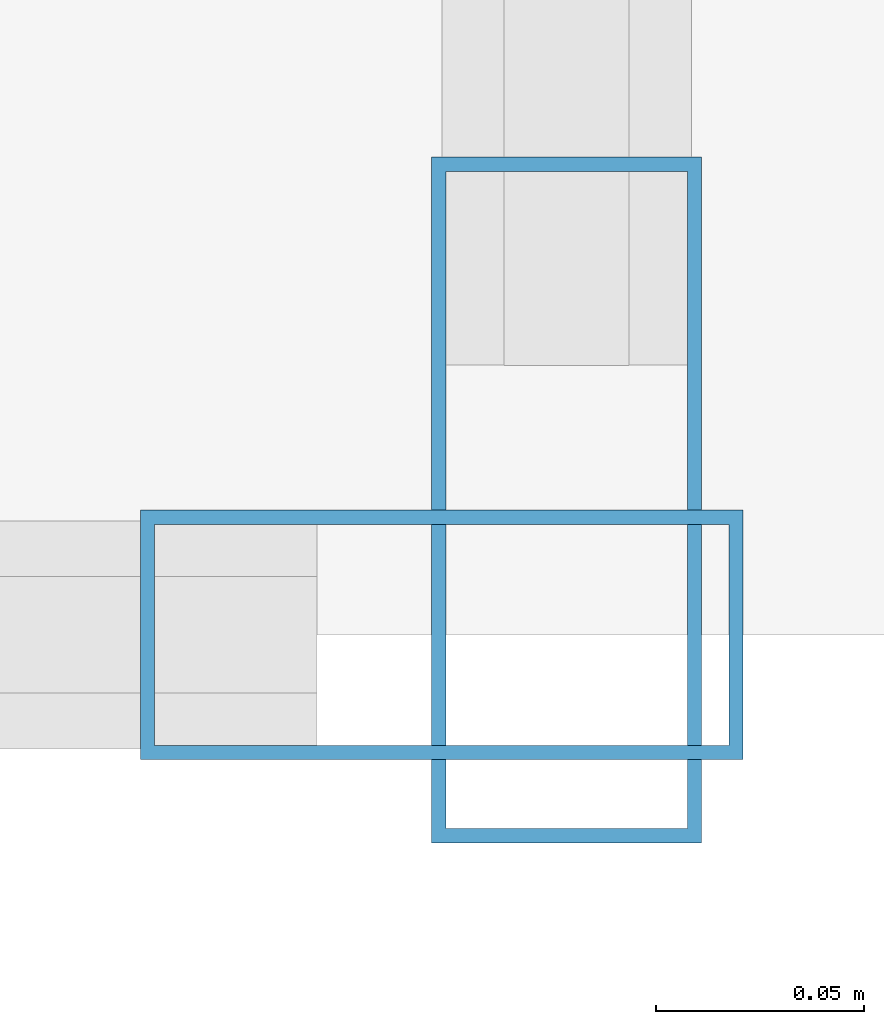
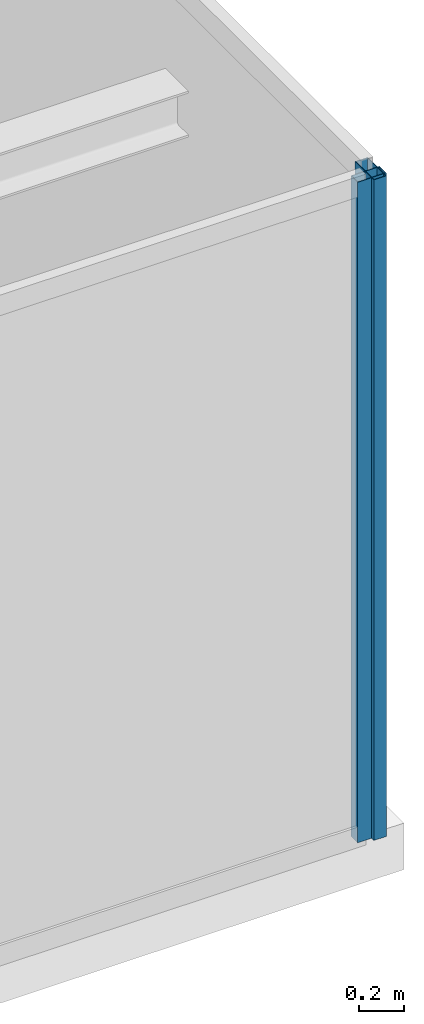
# One storey, part 14 of 27: 2 members, 2 elements without a shape of their own.
"""IFC4 building model written with IfcOpenShell, lengths in metres."""

from ifc_helpers import new_model, si_unit, direction, frame, origin, origin_2d, place, context, subcontext, project, spatial, hollow_rectangle, extrude, source, transform, mapped, material, layer, layer_set, material_profile, profile_set, type_object, type_shapes, element, aggregate, save


model = new_model("IFC4")

# Units and contexts
model_context = context("Model", 3, precision=1e-05, world=origin(), true_north=direction((0.0, 1.0)))
body_context = subcontext(model_context, "Body", "Model", "MODEL_VIEW")
ifc_project = project(units=[si_unit("LENGTHUNIT", "METRE"), si_unit("AREAUNIT", "SQUARE_METRE"), si_unit("VOLUMEUNIT", "CUBIC_METRE"), si_unit("PLANEANGLEUNIT", "RADIAN"), si_unit("MASSUNIT", "GRAM", prefix="KILO")], contexts=[model_context])

# Site, building, storey
site_placement = place(None, origin())
site = spatial("IfcSite", under=ifc_project, at=site_placement, CompositionType="ELEMENT")
building_placement = place(site_placement, origin())
building = spatial("IfcBuilding", under=site, at=building_placement, Name="Varnel Quay Broadcast Tower", CompositionType="ELEMENT")
storey_placement = place(building_placement, frame((0.0, 0.0, 203.60009765625)))
storey = spatial("IfcBuildingStorey", under=building, at=storey_placement, Name="L50", CompositionType="ELEMENT", Elevation=203.60009765625)

# Curtain wall, member
ifc_material = material(Name="Anodised Bronze Aluminium 6063-T6", Category="aluminium")
ifc_layer_1 = layer(ifc_material, 0.18994140625, Name="Anodised Bronze Aluminium 6063-T6")
ifc_layer_set_1 = layer_set([ifc_layer_1], Name="Anodised Bronze Aluminium 6063-T6")
curtain_wall_type_1 = type_object("IfcCurtainWallType", Name="CW_NotchCorner", PredefinedType="NOTDEFINED", material=ifc_layer_set_1)
curtain_wall_1_placement = place(storey_placement, origin())
curtain_wall_1 = element("IfcCurtainWall", 1, at=curtain_wall_1_placement, inside=storey, type_object=curtain_wall_type_1, Name="L50 SE Notch Curtain Wall", PredefinedType="NOTDEFINED")
ifc_material_profile_1 = material_profile(ifc_material, hollow_rectangle(XDim=0.06005859375, YDim=0.14501953125, WallThickness=0.00341796875, at=origin_2d()), Name="ALU60X145X3.5")
ifc_profile_set_1 = profile_set([ifc_material_profile_1], Name="Anodised Bronze Aluminium 6063-T6")
member_type_1 = type_object("IfcMemberType", Name="Mull_CWS-04", PredefinedType="MULLION", material=ifc_profile_set_1)
shared_shape_1 = source(origin(), body_context, "Body", "SweptSolid", [
    extrude(hollow_rectangle(XDim=0.06005859375, YDim=0.14501953125, WallThickness=0.00341796875, at=origin_2d()), origin(), (0.0, 0.0, 1.0), 3.5498046875),
])
type_shapes(member_type_1, [shared_shape_1])
member_1_placement = place(storey_placement, frame((58.320068359375, 13.60009765625, 0.0), z_axis=(0.0, 0.0, 1.0), x_axis=(0.0, 1.0, 0.0)))
member_1 = element("IfcMember", 2, at=member_1_placement, type_object=member_type_1, Name="CWS-04 mullion 2", PredefinedType="MULLION", context=body_context, shape_type="MappedRepresentation", body=[
    mapped(shared_shape_1, transform((0.0, 0.0, 0.0), x_axis=(1.0, 0.0, 0.0), y_axis=(0.0, 1.0, 0.0), z_axis=(0.0, 0.0, 1.0), scale=1.0)),
])
aggregate(curtain_wall_1, [member_1])

ifc_layer_2 = layer(ifc_material, 0.18994140625, Name="Anodised Bronze Aluminium 6063-T6")
ifc_layer_set_2 = layer_set([ifc_layer_2], Name="Anodised Bronze Aluminium 6063-T6")
curtain_wall_type_2 = type_object("IfcCurtainWallType", Name="CW_UpperTower", PredefinedType="NOTDEFINED", material=ifc_layer_set_2)
curtain_wall_2_placement = place(storey_placement, origin())
curtain_wall_2 = element("IfcCurtainWall", 3, at=curtain_wall_2_placement, inside=storey, type_object=curtain_wall_type_2, Name="L50 East Unitised Curtain Wall", PredefinedType="NOTDEFINED")
ifc_material_profile_2 = material_profile(ifc_material, hollow_rectangle(XDim=0.06494140625, YDim=0.1650390625, WallThickness=0.00341796875, at=origin_2d()), Name="ALU65X165X3.5")
ifc_profile_set_2 = profile_set([ifc_material_profile_2], Name="Anodised Bronze Aluminium 6063-T6")
member_type_2 = type_object("IfcMemberType", Name="Mull_CWS-03", PredefinedType="MULLION", material=ifc_profile_set_2)
shared_shape_2 = source(origin(), body_context, "Body", "SweptSolid", [
    extrude(hollow_rectangle(XDim=0.06494140625, YDim=0.1650390625, WallThickness=0.00341796875, at=origin_2d()), origin(), (0.0, 0.0, 1.0), 3.5498046875),
])
type_shapes(member_type_2, [shared_shape_2])
member_2_placement = place(storey_placement, frame((58.35009765625, 13.632568359375, 0.0), z_axis=(0.0, 0.0, 1.0), x_axis=(-1.0, 0.0, 0.0)))
member_2 = element("IfcMember", 4, at=member_2_placement, type_object=member_type_2, Name="CWS-03 mullion 1", PredefinedType="MULLION", context=body_context, shape_type="MappedRepresentation", body=[
    mapped(shared_shape_2, transform((0.0, 0.0, 0.0), x_axis=(1.0, 0.0, 0.0), y_axis=(0.0, 1.0, 0.0), z_axis=(0.0, 0.0, 1.0), scale=1.0)),
])
aggregate(curtain_wall_2, [member_2])

save(model, "model.ifc")
